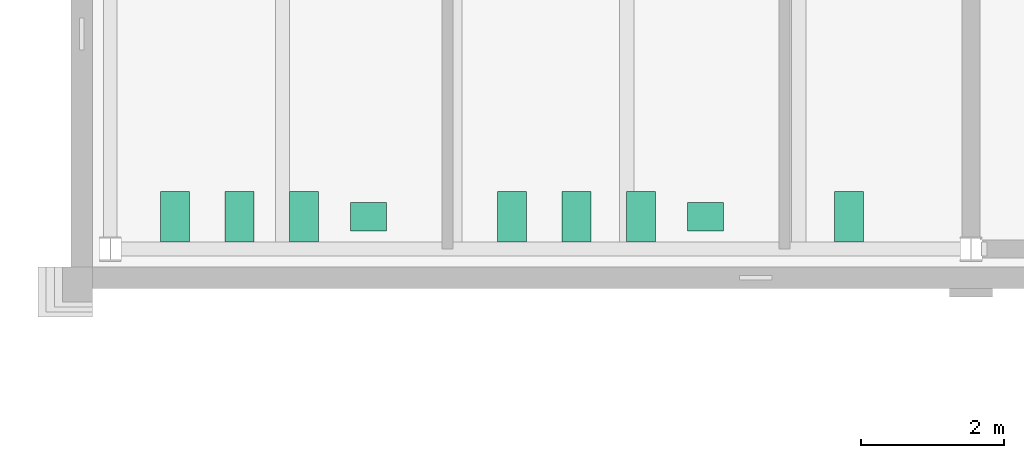
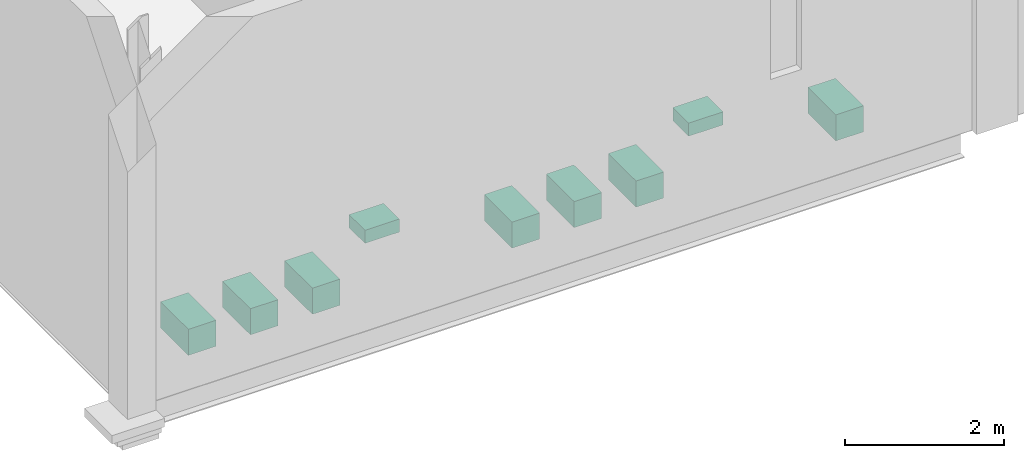
# One storey, part 169 of 170: 9 sanitary terminals.
"""IFC4 building model written with IfcOpenShell, lengths in metres."""

from ifc_helpers import new_model, si_unit, direction, frame, origin, origin_2d, place, context, subcontext, project, spatial, rectangle, extrude, material, type_object, element, save


model = new_model("IFC4")

# Units and contexts
model_context = context("Model", 3, precision=1e-05, world=origin(), true_north=direction((0.0, 1.0)))
body_context = subcontext(model_context, "Body", "Model", "MODEL_VIEW")
ifc_project = project(units=[si_unit("LENGTHUNIT", "METRE"), si_unit("AREAUNIT", "SQUARE_METRE"), si_unit("VOLUMEUNIT", "CUBIC_METRE"), si_unit("PLANEANGLEUNIT", "RADIAN"), si_unit("MASSUNIT", "GRAM", prefix="KILO")], contexts=[model_context])

# Site, building, storey
site_placement = place(None, origin())
site = spatial("IfcSite", under=ifc_project, at=site_placement, CompositionType="ELEMENT")
building_placement = place(site_placement, origin())
building = spatial("IfcBuilding", under=site, at=building_placement, Name="Ravi Spectrum Wholesale Market", CompositionType="ELEMENT")
storey_placement = place(building_placement, frame((0.0, 0.0, 5.39990234375)))
storey = spatial("IfcBuildingStorey", under=building, at=storey_placement, Name="L01", CompositionType="ELEMENT", Elevation=5.39990234375)

# Sanitary terminals
ifc_material_1 = material(Name="Vitreous china")
sanitary_terminal_type_1 = type_object("IfcSanitaryTerminalType", Name="Wash hand basin", PredefinedType="WASHHANDBASIN", material=ifc_material_1)
for number, where, z_axis, x_axis, name in (
    (1, (201.60009765625, 18.449951171875, 0.7001953125), (0.0, 0.0, 1.0), (1.0, 0.0, 0.0), "Basin L01-CS-14-4"),
    (2, (206.300048828125, 18.449951171875, 0.7001953125), (0.0, 0.0, 1.0), (1.0, 0.0, 0.0), "Basin L01-CS-15-4"),
):
    element("IfcSanitaryTerminal", number, at=place(storey_placement, frame(where, z_axis=z_axis, x_axis=x_axis)), inside=storey, type_object=sanitary_terminal_type_1, Name=name, PredefinedType="WASHHANDBASIN", context=body_context, shape_type="SweptSolid", body=[
        extrude(rectangle(XDim=0.5, YDim=0.39990234375, at=origin_2d()), origin(), (0.0, 0.0, 1.0), 0.199951171875),
    ])
ifc_material_2 = material(Name="Vitreous china")
sanitary_terminal_type_2 = type_object("IfcSanitaryTerminalType", Name="Water closet pan", PredefinedType="WCSEAT", material=ifc_material_2)
for number, where, z_axis, x_axis, name in (
    (3, (198.89990234375, 18.449951171875, 0.000244140625), (0.0, 0.0, 1.0), (1.0, 0.0, 0.0), "Water closet L01-CS-14-1"),
    (4, (199.800048828125, 18.449951171875, 0.000244140625), (0.0, 0.0, 1.0), (1.0, 0.0, 0.0), "Water closet L01-CS-14-2"),
    (5, (200.699951171875, 18.449951171875, 0.000244140625), (0.0, 0.0, 1.0), (1.0, 0.0, 0.0), "Water closet L01-CS-14-3"),
    (6, (203.60009765625, 18.449951171875, 0.000244140625), (0.0, 0.0, 1.0), (1.0, 0.0, 0.0), "Water closet L01-CS-15-1"),
    (7, (204.5, 18.449951171875, 0.000244140625), (0.0, 0.0, 1.0), (1.0, 0.0, 0.0), "Water closet L01-CS-15-2"),
    (8, (205.39990234375, 18.449951171875, 0.000244140625), (0.0, 0.0, 1.0), (1.0, 0.0, 0.0), "Water closet L01-CS-15-3"),
    (9, (208.300048828125, 18.449951171875, 0.000244140625), (0.0, 0.0, 1.0), (1.0, 0.0, 0.0), "Water closet L01-CS-16-1"),
):
    element("IfcSanitaryTerminal", number, at=place(storey_placement, frame(where, z_axis=z_axis, x_axis=x_axis)), inside=storey, type_object=sanitary_terminal_type_2, Name=name, PredefinedType="WCSEAT", context=body_context, shape_type="SweptSolid", body=[
        extrude(rectangle(XDim=0.39990234375, YDim=0.699951171875, at=origin_2d()), origin(), (0.0, 0.0, 1.0), 0.39990234375),
    ])

save(model, "model.ifc")
